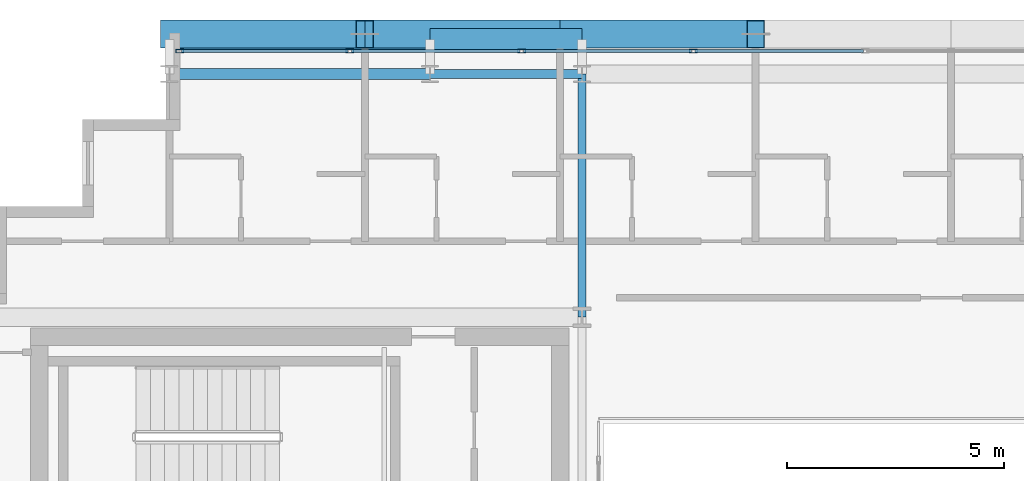
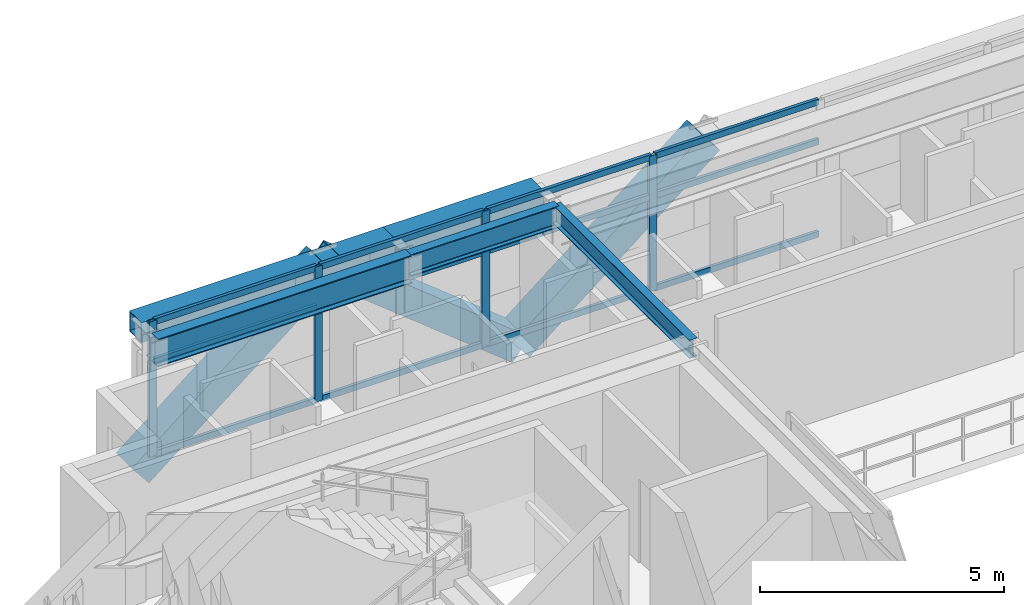
# One storey, part 15 of 29: 19 members, 5 beams, 1 element without a shape of its own.
"""IFC4 building model written with IfcOpenShell, lengths in metres."""

from ifc_helpers import new_model, si_unit, direction, frame, origin, origin_2d, place, context, subcontext, project, spatial, hollow_rectangle, i_section, extrude, source, transform, mapped, material, layer, layer_set, material_profile, profile_set, type_object, element, aggregate, save


model = new_model("IFC4")

# Units and contexts
model_context = context("Model", 3, precision=1e-05, world=origin(), true_north=direction((0.0, 1.0)))
body_context = subcontext(model_context, "Body", "Model", "MODEL_VIEW")
ifc_project = project(units=[si_unit("LENGTHUNIT", "METRE"), si_unit("AREAUNIT", "SQUARE_METRE"), si_unit("VOLUMEUNIT", "CUBIC_METRE"), si_unit("PLANEANGLEUNIT", "RADIAN"), si_unit("MASSUNIT", "GRAM", prefix="KILO")], contexts=[model_context])

# Site, building, storey
site_placement = place(None, origin())
site = spatial("IfcSite", under=ifc_project, at=site_placement, CompositionType="ELEMENT")
building_placement = place(site_placement, origin())
building = spatial("IfcBuilding", under=site, at=building_placement, Name="Ocotamira Hotel", CompositionType="ELEMENT")
storey_placement = place(building_placement, frame((0.0, 0.0, 236.39990234375)))
storey = spatial("IfcBuildingStorey", under=building, at=storey_placement, Name="L59", CompositionType="ELEMENT", Elevation=236.39990234375)

# Beams
ifc_material_1 = material(Name="Steel ASTM A992 Grade 50", Category="steel")
ifc_material_profile_1 = material_profile(ifc_material_1, i_section(OverallWidth=0.256103515625, OverallDepth=0.693115234375, WebThickness=0.014404296875, FlangeThickness=0.023681640625, FilletRadius=0.01611328125, at=origin_2d()), Name="W27X114")
ifc_profile_set_1 = profile_set([ifc_material_profile_1], Name="Steel ASTM A992 Grade 50")
beam_type_1 = type_object("IfcBeamType", Name="BM-PRIM-W27X114", PredefinedType="BEAM", material=ifc_profile_set_1)
shared_shape_1 = source(origin(), body_context, "Body", "SweptSolid", [
    extrude(i_section(OverallWidth=0.256103515625, OverallDepth=0.693115234375, WebThickness=0.014404296875, FlangeThickness=0.023681640625, FilletRadius=0.01611328125, at=origin_2d()), origin(), (0.0, 0.0, 1.0), 6.0),
])
beam_1_placement = place(storey_placement, frame((14.0, 43.050048828125, 3.03369140625), z_axis=(1.0, 0.0, 0.0), x_axis=(0.0, 1.0, 0.0)))
element("IfcBeam", 1, at=beam_1_placement, inside=storey, type_object=beam_type_1, Name="L59 Girder Y43.05 X14-20", PredefinedType="BEAM", context=body_context, shape_type="MappedRepresentation", body=[
    mapped(shared_shape_1, transform((0.0, 0.0, 0.0), scale=1.0)),
])
ifc_material_profile_2 = material_profile(ifc_material_1, i_section(OverallWidth=0.2099609375, OverallDepth=0.537109375, WebThickness=0.010986328125, FlangeThickness=0.017333984375, FilletRadius=0.012939453125, at=origin_2d()), Name="W21X68")
ifc_profile_set_2 = profile_set([ifc_material_profile_2], Name="Steel ASTM A992 Grade 50")
beam_type_2 = type_object("IfcBeamType", Name="BM-SEC-W21X68", PredefinedType="JOIST", material=ifc_profile_set_2)
shared_shape_2 = source(origin(), body_context, "Body", "SweptSolid", [
    extrude(i_section(OverallWidth=0.2099609375, OverallDepth=0.537109375, WebThickness=0.010986328125, FlangeThickness=0.017333984375, FilletRadius=0.012939453125, at=origin_2d()), origin(), (0.0, 0.0, 1.0), 3.5),
])
beam_2_placement = place(storey_placement, frame((20.0, 43.050048828125, 3.111572265625), z_axis=(1.0, 0.0, 0.0), x_axis=(0.0, 1.0, 0.0)))
element("IfcBeam", 2, at=beam_2_placement, inside=storey, type_object=beam_type_2, Name="L59 Girder Y43.05 X20-23.5", PredefinedType="JOIST", context=body_context, shape_type="MappedRepresentation", body=[
    mapped(shared_shape_2, transform((0.0, 0.0, 0.0), scale=1.0)),
])
ifc_material_2 = material(Name="Steel ASTM A500 Grade C", Category="steel")
ifc_material_profile_3 = material_profile(ifc_material_2, hollow_rectangle(XDim=0.5, YDim=0.5, WallThickness=0.02001953125, at=origin_2d()), Name="HSS500X500X20")
ifc_profile_set_3 = profile_set([ifc_material_profile_3], Name="Steel ASTM A500 Grade C")
beam_type_3 = type_object("IfcBeamType", Name="BM-SPAN-HSS500", PredefinedType="USERDEFINED", material=ifc_profile_set_3)
shared_shape_3 = source(origin(), body_context, "Body", "SweptSolid", [
    extrude(hollow_rectangle(XDim=0.5, YDim=0.5, WallThickness=0.02001953125, at=origin_2d()), origin(), (0.0, 0.0, 1.0), 6.0),
])
beam_3_placement = place(storey_placement, frame((14.0, 43.85009765625, 3.130126953125), z_axis=(1.0, 0.0, 0.0), x_axis=(0.0, 1.0, 0.0)))
element("IfcBeam", 3, at=beam_3_placement, inside=storey, type_object=beam_type_3, Name="L59 Edge Spandrel N X14-20", ObjectType="SPANDREL", PredefinedType="USERDEFINED", context=body_context, shape_type="MappedRepresentation", body=[
    mapped(shared_shape_3, transform((0.0, 0.0, 0.0), scale=1.0)),
])
shared_shape_4 = source(origin(), body_context, "Body", "SweptSolid", [
    extrude(hollow_rectangle(XDim=0.5, YDim=0.5, WallThickness=0.02001953125, at=origin_2d()), origin(), (0.0, 0.0, 1.0), 3.5),
])
beam_4_placement = place(storey_placement, frame((20.0, 43.85009765625, 3.130126953125), z_axis=(1.0, 0.0, 0.0), x_axis=(0.0, 1.0, 0.0)))
element("IfcBeam", 4, at=beam_4_placement, inside=storey, type_object=beam_type_3, Name="L59 Edge Spandrel N X20-23.5", ObjectType="SPANDREL", PredefinedType="USERDEFINED", context=body_context, shape_type="MappedRepresentation", body=[
    mapped(shared_shape_4, transform((0.0, 0.0, 0.0), scale=1.0)),
])
ifc_material_profile_4 = material_profile(ifc_material_1, i_section(OverallWidth=0.18994140625, OverallDepth=0.45703125, WebThickness=0.009033203125, FlangeThickness=0.014404296875, FilletRadius=0.010009765625, at=origin_2d()), Name="W18X50")
ifc_profile_set_4 = profile_set([ifc_material_profile_4], Name="Steel ASTM A992 Grade 50")
beam_type_4 = type_object("IfcBeamType", Name="BM-SEC-W18X50", PredefinedType="JOIST", material=ifc_profile_set_4)
shared_shape_5 = source(origin(), body_context, "Body", "SweptSolid", [
    extrude(i_section(OverallWidth=0.18994140625, OverallDepth=0.45703125, WebThickness=0.009033203125, FlangeThickness=0.014404296875, FilletRadius=0.010009765625, at=origin_2d()), origin(), (0.0, 0.0, 1.0), 5.60009765625),
])
beam_5_placement = place(storey_placement, frame((23.5, 37.449951171875, 3.151611328125), z_axis=(0.0, 1.0, 0.0), x_axis=(-1.0, 0.0, 0.0)))
element("IfcBeam", 5, at=beam_5_placement, inside=storey, type_object=beam_type_4, Name="L59 Beam X23.5 Y37.45-43.05", PredefinedType="JOIST", context=body_context, shape_type="MappedRepresentation", body=[
    mapped(shared_shape_5, transform((0.0, 0.0, 0.0), scale=1.0)),
])

# Members
ifc_material_3 = material(Name="Pale-metal coated steel ASTM A913 Grade 65", Category="steel")
ifc_material_profile_5 = material_profile(ifc_material_3, hollow_rectangle(XDim=0.64990234375, YDim=0.64990234375, WallThickness=0.02197265625, at=origin_2d()), Name="BOX650X650X22")
ifc_profile_set_5 = profile_set([ifc_material_profile_5], Name="Pale-metal coated steel ASTM A913 Grade 65")
member_type_1 = type_object("IfcMemberType", Name="MEM-EXO-BOX650", PredefinedType="BRACE", material=ifc_profile_set_5)
shared_shape_6 = source(origin(), body_context, "Body", "SweptSolid", [
    extrude(hollow_rectangle(XDim=0.64990234375, YDim=0.64990234375, WallThickness=0.02197265625, at=origin_2d()), origin(), (0.0, 0.0, 1.0), 5.762939453125),
])
for number, where, z_axis, x_axis, name in (
    (6, (14.0, 43.969970703125, -0.469970703125), (0.780860543151, 0.0, 0.624705380279), (0.0, 1.0, 0.0), "L59 Exoskeleton Diagrid N0.1"),
    (7, (23.0, 43.969970703125, -0.469970703125), (-0.780860543151, 0.0, 0.624705380279), (0.0, -1.0, 0.0), "L59 Exoskeleton Diagrid N0.2"),
    (8, (23.0, 43.969970703125, -0.469970703125), (0.780860543151, 0.0, 0.624705380279), (0.0, 1.0, 0.0), "L59 Exoskeleton Diagrid N1.1"),
):
    element("IfcMember", number, at=place(storey_placement, frame(where, z_axis=z_axis, x_axis=x_axis)), inside=storey, type_object=member_type_1, Name=name, PredefinedType="BRACE", context=body_context, shape_type="MappedRepresentation", body=[
        mapped(shared_shape_6, transform((0.0, 0.0, 0.0), scale=1.0)),
    ])

# Curtain wall, members
ifc_material_4 = material(Name="Anodised pale-metal aluminium and solar glass", Category="aluminium")
ifc_layer = layer(ifc_material_4, 0.239990234375)
ifc_layer_set = layer_set([ifc_layer], Name="Anodised pale-metal aluminium and solar glass")
curtain_wall_type = type_object("IfcCurtainWallType", Name="CW-SYS5-SKY", PredefinedType="NOTDEFINED", material=ifc_layer_set)
curtain_wall_placement = place(storey_placement, origin())
curtain_wall = element("IfcCurtainWall", 9, at=curtain_wall_placement, inside=storey, type_object=curtain_wall_type, Name="L59 Curtain Wall CW-5 CW-L59-N", PredefinedType="NOTDEFINED")
ifc_material_5 = material(Name="Anodised pale-metal aluminium 6063-T6", Category="aluminium")
ifc_material_profile_6 = material_profile(ifc_material_5, hollow_rectangle(XDim=0.074951171875, YDim=0.14990234375, WallThickness=0.006103515625, at=origin_2d()), Name="HSS150X75X6")
ifc_profile_set_6 = profile_set([ifc_material_profile_6], Name="Anodised pale-metal aluminium 6063-T6")
member_type_2 = type_object("IfcMemberType", Name="CWT-150X75", PredefinedType="USERDEFINED", material=ifc_profile_set_6)
shared_shape_7 = source(origin(), body_context, "Body", "SweptSolid", [
    extrude(hollow_rectangle(XDim=0.074951171875, YDim=0.14990234375, WallThickness=0.006103515625, at=origin_2d()), origin(), (0.0, 0.0, 1.0), 3.83544921875),
])
member_1_placement = place(storey_placement, frame((14.280029296875, 43.580078125, 0.03759765625), z_axis=(1.0, 0.0, 0.0), x_axis=(0.0, 1.0, 0.0)))
member_1 = element("IfcMember", 10, at=member_1_placement, type_object=member_type_2, Name="CW-5 transom 1.1", ObjectType="TRANSOM", PredefinedType="USERDEFINED", context=body_context, shape_type="MappedRepresentation", body=[
    mapped(shared_shape_7, transform((0.0, 0.0, 0.0), scale=1.0)),
])
member_2_placement = place(storey_placement, frame((14.280029296875, 43.580078125, 2.35009765625), z_axis=(1.0, 0.0, 0.0), x_axis=(0.0, 1.0, 0.0)))
member_2 = element("IfcMember", 11, at=member_2_placement, type_object=member_type_2, Name="CW-5 transom 1.2", ObjectType="TRANSOM", PredefinedType="USERDEFINED", context=body_context, shape_type="MappedRepresentation", body=[
    mapped(shared_shape_7, transform((0.0, 0.0, 0.0), scale=1.0)),
])
member_3_placement = place(storey_placement, frame((14.280029296875, 43.580078125, 3.342529296875), z_axis=(1.0, 0.0, 0.0), x_axis=(0.0, 1.0, 0.0)))
member_3 = element("IfcMember", 12, at=member_3_placement, type_object=member_type_2, Name="CW-5 transom 1.3", ObjectType="TRANSOM", PredefinedType="USERDEFINED", context=body_context, shape_type="MappedRepresentation", body=[
    mapped(shared_shape_7, transform((0.0, 0.0, 0.0), scale=1.0)),
])
shared_shape_8 = source(origin(), body_context, "Body", "SweptSolid", [
    extrude(hollow_rectangle(XDim=0.074951171875, YDim=0.14990234375, WallThickness=0.006103515625, at=origin_2d()), origin(), (0.0, 0.0, 1.0), 3.87548828125),
])
member_4_placement = place(storey_placement, frame((18.195556640625, 43.580078125, 0.03759765625), z_axis=(1.0, 0.0, 0.0), x_axis=(0.0, 1.0, 0.0)))
member_4 = element("IfcMember", 13, at=member_4_placement, type_object=member_type_2, Name="CW-5 transom 2.1", ObjectType="TRANSOM", PredefinedType="USERDEFINED", context=body_context, shape_type="MappedRepresentation", body=[
    mapped(shared_shape_8, transform((0.0, 0.0, 0.0), scale=1.0)),
])
member_5_placement = place(storey_placement, frame((18.195556640625, 43.580078125, 2.35009765625), z_axis=(1.0, 0.0, 0.0), x_axis=(0.0, 1.0, 0.0)))
member_5 = element("IfcMember", 14, at=member_5_placement, type_object=member_type_2, Name="CW-5 transom 2.2", ObjectType="TRANSOM", PredefinedType="USERDEFINED", context=body_context, shape_type="MappedRepresentation", body=[
    mapped(shared_shape_8, transform((0.0, 0.0, 0.0), scale=1.0)),
])
member_6_placement = place(storey_placement, frame((18.195556640625, 43.580078125, 3.342529296875), z_axis=(1.0, 0.0, 0.0), x_axis=(0.0, 1.0, 0.0)))
member_6 = element("IfcMember", 15, at=member_6_placement, type_object=member_type_2, Name="CW-5 transom 2.3", ObjectType="TRANSOM", PredefinedType="USERDEFINED", context=body_context, shape_type="MappedRepresentation", body=[
    mapped(shared_shape_8, transform((0.0, 0.0, 0.0), scale=1.0)),
])
member_7_placement = place(storey_placement, frame((22.151123046875, 43.580078125, 0.03759765625), z_axis=(1.0, 0.0, 0.0), x_axis=(0.0, 1.0, 0.0)))
member_7 = element("IfcMember", 16, at=member_7_placement, type_object=member_type_2, Name="CW-5 transom 3.1", ObjectType="TRANSOM", PredefinedType="USERDEFINED", context=body_context, shape_type="MappedRepresentation", body=[
    mapped(shared_shape_8, transform((0.0, 0.0, 0.0), scale=1.0)),
])
member_8_placement = place(storey_placement, frame((22.151123046875, 43.580078125, 2.35009765625), z_axis=(1.0, 0.0, 0.0), x_axis=(0.0, 1.0, 0.0)))
member_8 = element("IfcMember", 17, at=member_8_placement, type_object=member_type_2, Name="CW-5 transom 3.2", ObjectType="TRANSOM", PredefinedType="USERDEFINED", context=body_context, shape_type="MappedRepresentation", body=[
    mapped(shared_shape_8, transform((0.0, 0.0, 0.0), scale=1.0)),
])
member_9_placement = place(storey_placement, frame((22.151123046875, 43.580078125, 3.342529296875), z_axis=(1.0, 0.0, 0.0), x_axis=(0.0, 1.0, 0.0)))
member_9 = element("IfcMember", 18, at=member_9_placement, type_object=member_type_2, Name="CW-5 transom 3.3", ObjectType="TRANSOM", PredefinedType="USERDEFINED", context=body_context, shape_type="MappedRepresentation", body=[
    mapped(shared_shape_8, transform((0.0, 0.0, 0.0), scale=1.0)),
])
member_10_placement = place(storey_placement, frame((26.106689453125, 43.580078125, 0.03759765625), z_axis=(1.0, 0.0, 0.0), x_axis=(0.0, 1.0, 0.0)))
member_10 = element("IfcMember", 19, at=member_10_placement, type_object=member_type_2, Name="CW-5 transom 4.1", ObjectType="TRANSOM", PredefinedType="USERDEFINED", context=body_context, shape_type="MappedRepresentation", body=[
    mapped(shared_shape_8, transform((0.0, 0.0, 0.0), scale=1.0)),
])
member_11_placement = place(storey_placement, frame((26.106689453125, 43.580078125, 2.35009765625), z_axis=(1.0, 0.0, 0.0), x_axis=(0.0, 1.0, 0.0)))
member_11 = element("IfcMember", 20, at=member_11_placement, type_object=member_type_2, Name="CW-5 transom 4.2", ObjectType="TRANSOM", PredefinedType="USERDEFINED", context=body_context, shape_type="MappedRepresentation", body=[
    mapped(shared_shape_8, transform((0.0, 0.0, 0.0), scale=1.0)),
])
member_12_placement = place(storey_placement, frame((26.106689453125, 43.580078125, 3.342529296875), z_axis=(1.0, 0.0, 0.0), x_axis=(0.0, 1.0, 0.0)))
member_12 = element("IfcMember", 21, at=member_12_placement, type_object=member_type_2, Name="CW-5 transom 4.3", ObjectType="TRANSOM", PredefinedType="USERDEFINED", context=body_context, shape_type="MappedRepresentation", body=[
    mapped(shared_shape_8, transform((0.0, 0.0, 0.0), scale=1.0)),
])
ifc_material_profile_7 = material_profile(ifc_material_5, hollow_rectangle(XDim=0.080078125, YDim=0.179931640625, WallThickness=0.006103515625, at=origin_2d()), Name="HSS180X80X6")
ifc_profile_set_7 = profile_set([ifc_material_profile_7], Name="Anodised pale-metal aluminium 6063-T6")
member_type_3 = type_object("IfcMemberType", Name="CWM-180X75", PredefinedType="MULLION", material=ifc_profile_set_7)
shared_shape_9 = source(origin(), body_context, "Body", "SweptSolid", [
    extrude(hollow_rectangle(XDim=0.080078125, YDim=0.179931640625, WallThickness=0.006103515625, at=origin_2d()), origin(), (0.0, 0.0, 1.0), 3.380126953125),
])
member_13_placement = place(storey_placement, frame((14.239990234375, 43.580078125, 0.0), z_axis=(0.0, 0.0, 1.0), x_axis=(0.0, 1.0, 0.0)))
member_13 = element("IfcMember", 22, at=member_13_placement, type_object=member_type_3, Name="CW-5 mullion 1", PredefinedType="MULLION", context=body_context, shape_type="MappedRepresentation", body=[
    mapped(shared_shape_9, transform((0.0, 0.0, 0.0), scale=1.0)),
])
member_14_placement = place(storey_placement, frame((18.155517578125, 43.580078125, 0.0), z_axis=(0.0, 0.0, 1.0), x_axis=(0.0, 1.0, 0.0)))
member_14 = element("IfcMember", 23, at=member_14_placement, type_object=member_type_3, Name="CW-5 mullion 2", PredefinedType="MULLION", context=body_context, shape_type="MappedRepresentation", body=[
    mapped(shared_shape_9, transform((0.0, 0.0, 0.0), scale=1.0)),
])
member_15_placement = place(storey_placement, frame((22.111083984375, 43.580078125, 0.0), z_axis=(0.0, 0.0, 1.0), x_axis=(0.0, 1.0, 0.0)))
member_15 = element("IfcMember", 24, at=member_15_placement, type_object=member_type_3, Name="CW-5 mullion 3", PredefinedType="MULLION", context=body_context, shape_type="MappedRepresentation", body=[
    mapped(shared_shape_9, transform((0.0, 0.0, 0.0), scale=1.0)),
])
member_16_placement = place(storey_placement, frame((26.066650390625, 43.580078125, 0.0), z_axis=(0.0, 0.0, 1.0), x_axis=(0.0, 1.0, 0.0)))
member_16 = element("IfcMember", 25, at=member_16_placement, type_object=member_type_3, Name="CW-5 mullion 4", PredefinedType="MULLION", context=body_context, shape_type="MappedRepresentation", body=[
    mapped(shared_shape_9, transform((0.0, 0.0, 0.0), scale=1.0)),
])
aggregate(curtain_wall, [member_13, member_14, member_15, member_16, member_1, member_2, member_3, member_4, member_5, member_6, member_7, member_8, member_9, member_10, member_11, member_12])

save(model, "model.ifc")
